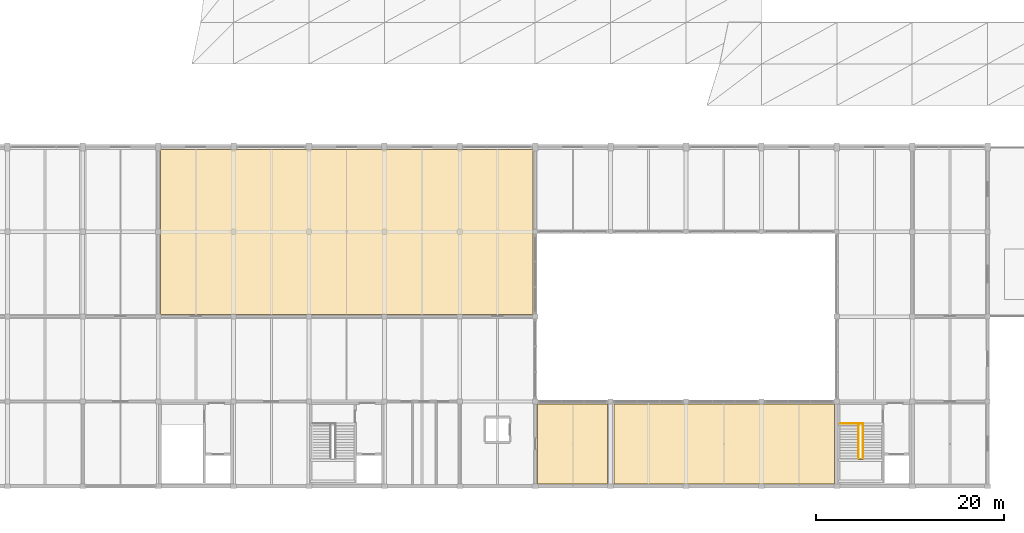
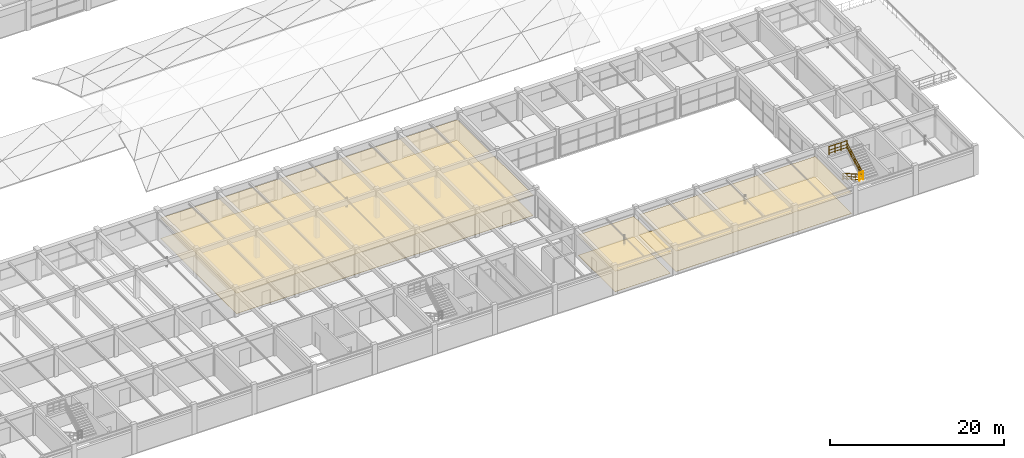
# One storey, part 61 of 63: 6 coverings, 4 railings.
"""IFC4 building model written with IfcOpenShell, lengths in metres."""

from ifc_helpers import new_model, si_unit, direction, frame, origin, origin_2d, place, context, subcontext, project, spatial, polyline, circle, outline, extrude, material, layer, layer_set, type_object, element, save


model = new_model("IFC4")

# Units and contexts
model_context = context("Model", 3, precision=1e-05, world=origin(), true_north=direction((0.0, 1.0)))
body_context = subcontext(model_context, "Body", "Model", "MODEL_VIEW")
ifc_project = project(units=[si_unit("LENGTHUNIT", "METRE"), si_unit("AREAUNIT", "SQUARE_METRE"), si_unit("VOLUMEUNIT", "CUBIC_METRE"), si_unit("PLANEANGLEUNIT", "RADIAN"), si_unit("MASSUNIT", "GRAM", prefix="KILO")], contexts=[model_context])

# Site, building, storey
site_placement = place(None, origin())
site = spatial("IfcSite", under=ifc_project, at=site_placement, CompositionType="ELEMENT")
building_placement = place(site_placement, origin())
building = spatial("IfcBuilding", under=site, at=building_placement, Name="Varnabhumi Central Station", CompositionType="ELEMENT")
storey_placement = place(building_placement, frame((0.0, 0.0, 20.39990234375)))
storey = spatial("IfcBuildingStorey", under=building, at=storey_placement, Name="L04", CompositionType="ELEMENT", Elevation=20.39990234375)

# Coverings
ifc_material_1 = material(Name="Mineral-fibre acoustic tile")
ifc_layer_1 = layer(ifc_material_1, 0.02490234375, Name="Mineral-fibre acoustic tile")
ifc_layer_set_1 = layer_set([ifc_layer_1], Name="Mineral-fibre acoustic tile")
covering_type_1 = type_object("IfcCoveringType", Name="COV-CEIL-ACOUSTIC", PredefinedType="CEILING", material=ifc_layer_set_1)
covering_1_placement = place(storey_placement, frame((0.0, 0.0, 2.8701171875)))
element("IfcCovering", 1, at=covering_1_placement, inside=storey, type_object=covering_type_1, Name="Axle Counter and Signalling Equipment Room Acoustic Ceiling", PredefinedType="CEILING", context=body_context, shape_type="SweptSolid", body=[
    extrude(outline(polyline([(72.25, 18.25), (111.75, 18.25), (111.75, 35.75), (72.25, 35.75), (72.25, 18.25)])), origin(), (0.0, 0.0, 1.0), 0.02490234375),
])
covering_2_placement = place(storey_placement, frame((0.0, 0.0, 2.8701171875)))
element("IfcCovering", 2, at=covering_2_placement, inside=storey, type_object=covering_type_1, Name="Signalling and Telecom Spares Store Acoustic Ceiling", PredefinedType="CEILING", context=body_context, shape_type="SweptSolid", body=[
    extrude(outline(polyline([(112.25, 0.25), (119.64990234375, 0.25), (119.64990234375, 8.75), (112.25, 8.75), (112.25, 0.25)])), origin(), (0.0, 0.0, 1.0), 0.02490234375),
])
covering_3_placement = place(storey_placement, frame((0.0, 0.0, 2.8701171875)))
element("IfcCovering", 3, at=covering_3_placement, inside=storey, type_object=covering_type_1, Name="Signalling and Telecom Spares Store Acoustic Ceiling", PredefinedType="CEILING", context=body_context, shape_type="SweptSolid", body=[
    extrude(outline(polyline([(120.35009765625, 0.25), (143.75, 0.25), (143.75, 8.75), (120.35009765625, 8.75), (120.35009765625, 0.25)])), origin(), (0.0, 0.0, 1.0), 0.02490234375),
])
ifc_material_2 = material(Name="Vitrified granite stone flooring", Category="masonry")
ifc_layer_2 = layer(ifc_material_2, 0.030029296875, Name="Vitrified granite stone flooring", Category="masonry")
ifc_layer_set_2 = layer_set([ifc_layer_2], Name="Vitrified granite stone flooring")
covering_type_2 = type_object("IfcCoveringType", Name="COV-FLOR-GRANITE", PredefinedType="FLOORING", material=ifc_layer_set_2)
covering_4_placement = place(storey_placement, origin())
element("IfcCovering", 4, at=covering_4_placement, inside=storey, type_object=covering_type_2, Name="Axle Counter and Signalling Equipment Room Granite Flooring", PredefinedType="FLOORING", context=body_context, shape_type="SweptSolid", body=[
    extrude(outline(polyline([(72.25, 18.25), (111.75, 18.25), (111.75, 35.75), (72.25, 35.75), (72.25, 18.25)])), origin(), (0.0, 0.0, 1.0), 0.030029296875),
])
covering_5_placement = place(storey_placement, origin())
element("IfcCovering", 5, at=covering_5_placement, inside=storey, type_object=covering_type_2, Name="Signalling and Telecom Spares Store Granite Flooring", PredefinedType="FLOORING", context=body_context, shape_type="SweptSolid", body=[
    extrude(outline(polyline([(112.25, 0.25), (119.64990234375, 0.25), (119.64990234375, 8.75), (112.25, 8.75), (112.25, 0.25)])), origin(), (0.0, 0.0, 1.0), 0.030029296875),
])
covering_6_placement = place(storey_placement, origin())
element("IfcCovering", 6, at=covering_6_placement, inside=storey, type_object=covering_type_2, Name="Signalling and Telecom Spares Store Granite Flooring", PredefinedType="FLOORING", context=body_context, shape_type="SweptSolid", body=[
    extrude(outline(polyline([(120.35009765625, 0.25), (143.75, 0.25), (143.75, 8.75), (120.35009765625, 8.75), (120.35009765625, 0.25)])), origin(), (0.0, 0.0, 1.0), 0.030029296875),
])

# Railings
ifc_material_3 = material(Name="Stainless steel Grade 316", Category="steel")
railing_type_1 = type_object("IfcRailingType", Name="RAIL-STAIR-GRD-1150", PredefinedType="GUARDRAIL", material=ifc_material_3)
railing_1_placement = place(storey_placement, frame((146.300048828125, 2.89501953125, 2.10009765625)))
element("IfcRailing", 7, at=railing_1_placement, inside=storey, type_object=railing_type_1, Name="ST-S3 L04 Half-Landing Well Guard", PredefinedType="GUARDRAIL", context=body_context, shape_type="SweptSolid", body=[
    extrude(circle(Radius=0.02392578125, at=origin_2d()), frame((0.0, 0.0, 1.1259765625), z_axis=(1.0, 0.0, 0.0), x_axis=(0.0, 1.0, 0.0)), (0.0, 0.0, 1.0), 0.5),
    extrude(circle(Radius=0.01416015625, at=origin_2d()), frame((0.0, 0.0, 0.597900390625), z_axis=(1.0, 0.0, 0.0), x_axis=(0.0, 1.0, 0.0)), (0.0, 0.0, 1.0), 0.5),
    extrude(circle(Radius=0.01416015625, at=origin_2d()), frame((0.0, 0.0, 0.18408203125), z_axis=(1.0, 0.0, 0.0), x_axis=(0.0, 1.0, 0.0)), (0.0, 0.0, 1.0), 0.5),
    extrude(circle(Radius=0.02099609375, at=origin_2d()), origin(), (0.0, 0.0, 1.0), 1.101806640625),
    extrude(circle(Radius=0.02099609375, at=origin_2d()), frame((0.5, 0.0, 0.0)), (0.0, 0.0, 1.0), 1.101806640625),
])
railing_2_placement = place(storey_placement, frame((144.39990234375, 6.639892578125, 4.2001953125)))
element("IfcRailing", 8, at=railing_2_placement, inside=storey, type_object=railing_type_1, Name="ST-S3 Top Well Guard", PredefinedType="GUARDRAIL", context=body_context, shape_type="SweptSolid", body=[
    extrude(circle(Radius=0.02392578125, at=origin_2d()), frame((0.0, 0.0, 1.1259765625), z_axis=(1.0, 0.0, 0.0), x_axis=(0.0, 1.0, 0.0)), (0.0, 0.0, 1.0), 2.400146484375),
    extrude(circle(Radius=0.01416015625, at=origin_2d()), frame((0.0, 0.0, 0.597900390625), z_axis=(1.0, 0.0, 0.0), x_axis=(0.0, 1.0, 0.0)), (0.0, 0.0, 1.0), 2.400146484375),
    extrude(circle(Radius=0.01416015625, at=origin_2d()), frame((0.0, 0.0, 0.18408203125), z_axis=(1.0, 0.0, 0.0), x_axis=(0.0, 1.0, 0.0)), (0.0, 0.0, 1.0), 2.400146484375),
    extrude(circle(Radius=0.02099609375, at=origin_2d()), origin(), (0.0, 0.0, 1.0), 1.101806640625),
    extrude(circle(Radius=0.02099609375, at=origin_2d()), frame((0.800048828125, 0.0, 0.0)), (0.0, 0.0, 1.0), 1.101806640625),
    extrude(circle(Radius=0.02099609375, at=origin_2d()), frame((1.60009765625, 0.0, 0.0)), (0.0, 0.0, 1.0), 1.101806640625),
    extrude(circle(Radius=0.02099609375, at=origin_2d()), frame((2.400146484375, 0.0, 0.0)), (0.0, 0.0, 1.0), 1.101806640625),
])
railing_type_2 = type_object("IfcRailingType", Name="RAIL-STAIR-HR-920", PredefinedType="HANDRAIL", material=ifc_material_3)
railing_3_placement = place(storey_placement, frame((146.300048828125, 6.659912109375, 0.0)))
element("IfcRailing", 9, at=railing_3_placement, inside=storey, type_object=railing_type_2, Name="ST-S3 L04 Flight 1 Handrail", PredefinedType="HANDRAIL", context=body_context, shape_type="SweptSolid", body=[
    extrude(circle(Radius=0.02392578125, at=origin_2d()), frame((0.0, 0.0, 0.89599609375), z_axis=(0.0, -0.869952506034, 0.493135516106), x_axis=(1.0, 0.0, 0.0)), (0.0, 0.0, 1.0), 4.258544921875),
    extrude(circle(Radius=0.01416015625, at=origin_2d()), frame((0.0, 0.0, 0.478271484375), z_axis=(0.0, -0.869952506034, 0.493135516106), x_axis=(1.0, 0.0, 0.0)), (0.0, 0.0, 1.0), 4.258544921875),
    extrude(circle(Radius=0.01416015625, at=origin_2d()), frame((0.0, 0.0, 0.147216796875), z_axis=(0.0, -0.869952506034, 0.493135516106), x_axis=(1.0, 0.0, 0.0)), (0.0, 0.0, 1.0), 4.258544921875),
    extrude(circle(Radius=0.02099609375, at=origin_2d()), origin(), (0.0, 0.0, 1.0), 0.871826171875),
    extrude(circle(Radius=0.02099609375, at=origin_2d()), frame((0.0, -0.92626953125, 0.52490234375)), (0.0, 0.0, 1.0), 0.871826171875),
    extrude(circle(Radius=0.02099609375, at=origin_2d()), frame((0.0, -1.8525390625, 1.050048828125)), (0.0, 0.0, 1.0), 0.871826171875),
    extrude(circle(Radius=0.02099609375, at=origin_2d()), frame((0.0, -2.778564453125, 1.5751953125)), (0.0, 0.0, 1.0), 0.871826171875),
    extrude(circle(Radius=0.02099609375, at=origin_2d()), frame((0.0, -3.704833984375, 2.10009765625)), (0.0, 0.0, 1.0), 0.871826171875),
])
railing_4_placement = place(storey_placement, frame((146.800048828125, 2.955078125, 2.10009765625)))
element("IfcRailing", 10, at=railing_4_placement, inside=storey, type_object=railing_type_2, Name="ST-S3 L04 Flight 2 Handrail", PredefinedType="HANDRAIL", context=body_context, shape_type="SweptSolid", body=[
    extrude(circle(Radius=0.02392578125, at=origin_2d()), frame((0.0, 0.0, 0.89599609375), z_axis=(0.0, 0.869952506034, 0.493135516106), x_axis=(-1.0, 0.0, 0.0)), (0.0, 0.0, 1.0), 4.258544921875),
    extrude(circle(Radius=0.01416015625, at=origin_2d()), frame((0.0, 0.0, 0.478271484375), z_axis=(0.0, 0.869952506034, 0.493135516106), x_axis=(-1.0, 0.0, 0.0)), (0.0, 0.0, 1.0), 4.258544921875),
    extrude(circle(Radius=0.01416015625, at=origin_2d()), frame((0.0, 0.0, 0.147216796875), z_axis=(0.0, 0.869952506034, 0.493135516106), x_axis=(-1.0, 0.0, 0.0)), (0.0, 0.0, 1.0), 4.258544921875),
    extrude(circle(Radius=0.02099609375, at=origin_2d()), origin(), (0.0, 0.0, 1.0), 0.871826171875),
    extrude(circle(Radius=0.02099609375, at=origin_2d()), frame((0.0, 0.92626953125, 0.52490234375)), (0.0, 0.0, 1.0), 0.871826171875),
    extrude(circle(Radius=0.02099609375, at=origin_2d()), frame((0.0, 1.8525390625, 1.050048828125)), (0.0, 0.0, 1.0), 0.871826171875),
    extrude(circle(Radius=0.02099609375, at=origin_2d()), frame((0.0, 2.778564453125, 1.5751953125)), (0.0, 0.0, 1.0), 0.871826171875),
    extrude(circle(Radius=0.02099609375, at=origin_2d()), frame((0.0, 3.704833984375, 2.10009765625)), (0.0, 0.0, 1.0), 0.871826171875),
])

save(model, "model.ifc")
